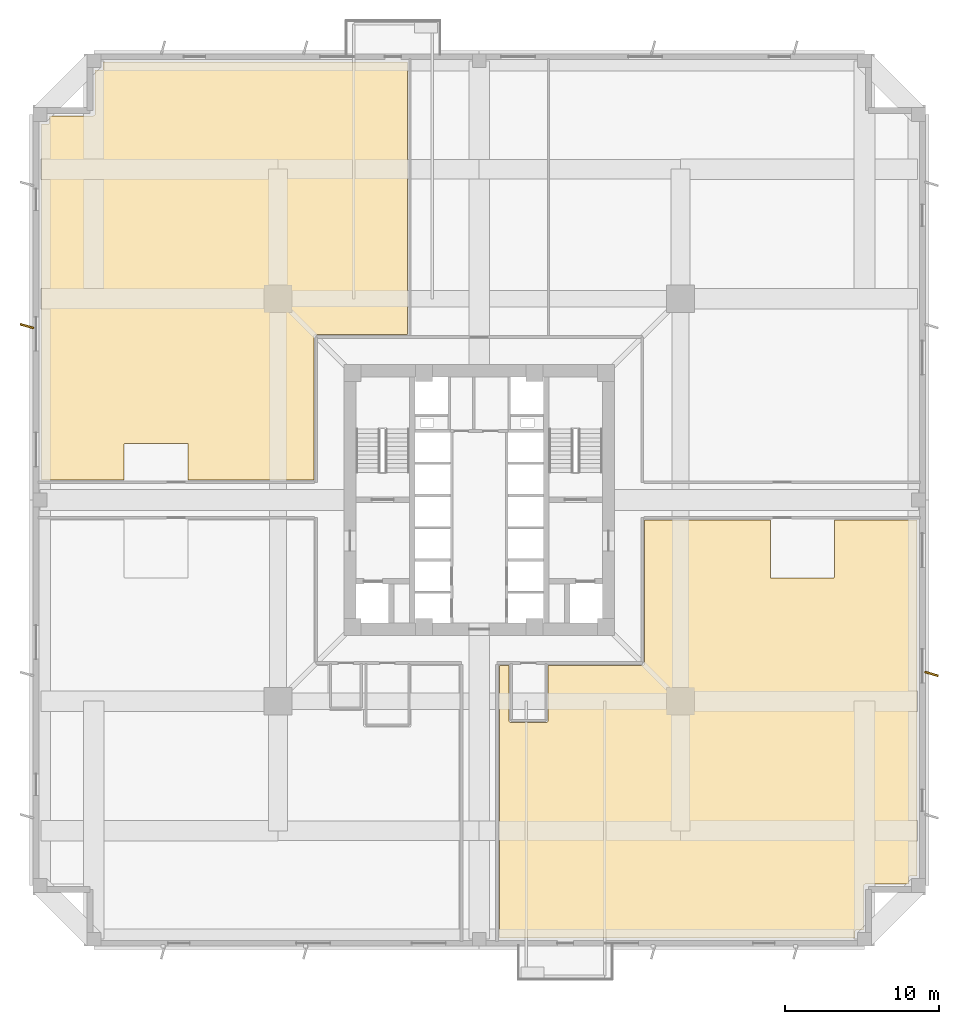
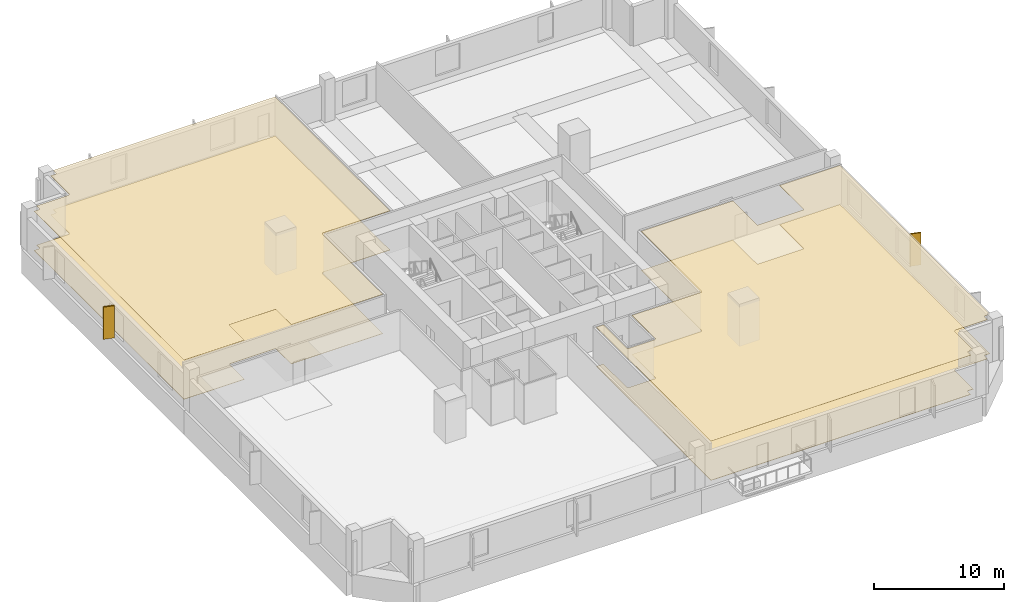
# One storey, part 7 of 9: 6 coverings.
"""IFC4 building model written with IfcOpenShell, lengths in metres."""

from ifc_helpers import new_model, si_unit, direction, frame, origin, origin_2d, place, context, subcontext, project, spatial, polyline, rectangle, outline, extrude, source, transform, mapped, material, layer, layer_set, type_object, element, save


model = new_model("IFC4")

# Units and contexts
model_context = context("Model", 3, precision=1e-05, world=origin(), true_north=direction((0.0, 1.0)))
body_context = subcontext(model_context, "Body", "Model", "MODEL_VIEW")
ifc_project = project(units=[si_unit("LENGTHUNIT", "METRE"), si_unit("AREAUNIT", "SQUARE_METRE"), si_unit("VOLUMEUNIT", "CUBIC_METRE"), si_unit("PLANEANGLEUNIT", "RADIAN"), si_unit("MASSUNIT", "GRAM", prefix="KILO"), si_unit("THERMODYNAMICTEMPERATUREUNIT", "KELVIN")], contexts=[model_context])

# Site, building, storey
site_placement = place(None, origin())
site = spatial("IfcSite", under=ifc_project, at=site_placement, CompositionType="ELEMENT")
building_placement = place(site_placement, origin())
building = spatial("IfcBuilding", under=site, at=building_placement, Name="Kosmvard Interchange Tower", CompositionType="ELEMENT")
storey_placement = place(building_placement, frame((0.0, 0.0, 26.0)))
storey = spatial("IfcBuildingStorey", under=building, at=storey_placement, Name="L05", CompositionType="ELEMENT", Elevation=26.0)

# Coverings
ifc_material_1 = material(Name="Acoustic gypsum ceiling tile")
ifc_layer_1 = layer(ifc_material_1, 0.02490234375, Name="Acoustic gypsum ceiling tile")
ifc_layer_set_1 = layer_set([ifc_layer_1], Name="Acoustic gypsum ceiling tile")
covering_type_1 = type_object("IfcCoveringType", Name="Acoustic Perforated Suspended Ceiling 25", PredefinedType="CEILING", material=ifc_layer_set_1)
covering_1_placement = place(storey_placement, frame((0.0, 0.0, 3.695068359375)))
element("IfcCovering", 1, at=covering_1_placement, inside=storey, type_object=covering_type_1, Name="L05 Acoustic Ceiling L05-OPSE", PredefinedType="CEILING", context=body_context, shape_type="SweptSolid", body=[
    extrude(outline(polyline([(10.65576171875, -10.74462890625), (10.648681640625, -10.7470703125), (10.64111328125, -10.749267578125), (10.634033203125, -10.751220703125), (10.62646484375, -10.752685546875), (10.619140625, -10.753662109375), (10.611328125, -10.754638671875), (10.60400390625, -10.7548828125), (10.60009765625, -10.7548828125), (4.47802734375, -10.7548828125), (4.47802734375, -14.320068359375), (4.477783203125, -14.323974609375), (4.4775390625, -14.33056640625), (4.476806640625, -14.33837890625), (4.475830078125, -14.344970703125), (4.474365234375, -14.352783203125), (4.47265625, -14.359130859375), (4.470458984375, -14.36669921875), (4.468017578125, -14.373046875), (4.465087890625, -14.380126953125), (4.46240234375, -14.38623046875), (4.45849609375, -14.39306640625), (4.455078125, -14.39892578125), (4.45068359375, -14.405517578125), (4.44677734375, -14.410888671875), (4.44189453125, -14.4169921875), (4.437255859375, -14.421875), (4.431884765625, -14.42724609375), (4.427001953125, -14.431884765625), (4.4208984375, -14.436767578125), (4.41552734375, -14.440673828125), (4.408935546875, -14.445068359375), (4.403076171875, -14.44873046875), (4.396240234375, -14.452392578125), (4.39013671875, -14.455078125), (4.383056640625, -14.458251953125), (4.376708984375, -14.46044921875), (4.369140625, -14.462646484375), (4.36279296875, -14.46435546875), (4.35498046875, -14.4658203125), (4.348388671875, -14.466796875), (4.340576171875, -14.467529296875), (4.333984375, -14.468017578125), (4.330078125, -14.468017578125), (2.080078125, -14.468017578125), (2.076171875, -14.468017578125), (2.0693359375, -14.467529296875), (2.0615234375, -14.466796875), (2.054931640625, -14.4658203125), (2.04736328125, -14.46435546875), (2.040771484375, -14.462646484375), (2.033203125, -14.46044921875), (2.027099609375, -14.458251953125), (2.019775390625, -14.455078125), (2.013671875, -14.452392578125), (2.0068359375, -14.44873046875), (2.001220703125, -14.445068359375), (1.99462890625, -14.440673828125), (1.9892578125, -14.436767578125), (1.983154296875, -14.431884765625), (1.978271484375, -14.42724609375), (1.97265625, -14.421875), (1.96826171875, -14.4169921875), (1.963134765625, -14.410888671875), (1.959228515625, -14.405517578125), (1.954833984375, -14.39892578125), (1.951416015625, -14.39306640625), (1.94775390625, -14.38623046875), (1.94482421875, -14.380126953125), (1.94189453125, -14.373046875), (1.939697265625, -14.36669921875), (1.937255859375, -14.359130859375), (1.935791015625, -14.352783203125), (1.93408203125, -14.344970703125), (1.93310546875, -14.33837890625), (1.932373046875, -14.33056640625), (1.93212890625, -14.323974609375), (1.931884765625, -14.320068359375), (1.931884765625, -10.7548828125), (1.304931640625, -10.7548828125), (1.304931640625, -28.465087890625), (24.43994140625, -28.465087890625), (24.43994140625, -28.02001953125), (24.4404296875, -28.01220703125), (24.441650390625, -28.00439453125), (24.443359375, -27.996826171875), (24.446044921875, -27.989501953125), (24.449462890625, -27.982177734375), (24.453369140625, -27.9755859375), (24.458251953125, -27.96923828125), (24.46337890625, -27.96337890625), (24.46923828125, -27.958251953125), (24.4755859375, -27.953369140625), (24.482177734375, -27.949462890625), (24.489501953125, -27.946044921875), (24.496826171875, -27.943359375), (24.50439453125, -27.941650390625), (24.51220703125, -27.9404296875), (24.52001953125, -27.93994140625), (24.965087890625, -27.93994140625), (24.965087890625, -25.1201171875), (24.965087890625, -25.1162109375), (24.965576171875, -25.108642578125), (24.96630859375, -25.100830078125), (24.96728515625, -25.09375), (24.96875, -25.0859375), (24.970703125, -25.078857421875), (24.972900390625, -25.0712890625), (24.975341796875, -25.064453125), (24.978515625, -25.05712890625), (24.9814453125, -25.05029296875), (24.985107421875, -25.043701171875), (24.989013671875, -25.037353515625), (24.993408203125, -25.03076171875), (24.997802734375, -25.02490234375), (25.002685546875, -25.0185546875), (25.0078125, -25.01318359375), (25.01318359375, -25.0078125), (25.0185546875, -25.002685546875), (25.02490234375, -24.997802734375), (25.03076171875, -24.993408203125), (25.037353515625, -24.989013671875), (25.043701171875, -24.985107421875), (25.05029296875, -24.9814453125), (25.05712890625, -24.978515625), (25.064453125, -24.975341796875), (25.0712890625, -24.972900390625), (25.078857421875, -24.970703125), (25.0859375, -24.96875), (25.09375, -24.96728515625), (25.100830078125, -24.96630859375), (25.108642578125, -24.965576171875), (25.1162109375, -24.965087890625), (25.1201171875, -24.965087890625), (27.93994140625, -24.965087890625), (27.93994140625, -24.52001953125), (27.9404296875, -24.51220703125), (27.941650390625, -24.50439453125), (27.943359375, -24.496826171875), (27.946044921875, -24.489501953125), (27.949462890625, -24.482177734375), (27.953369140625, -24.4755859375), (27.958251953125, -24.46923828125), (27.96337890625, -24.46337890625), (27.96923828125, -24.458251953125), (27.9755859375, -24.453369140625), (27.982177734375, -24.449462890625), (27.989501953125, -24.446044921875), (27.996826171875, -24.443359375), (28.00439453125, -24.441650390625), (28.01220703125, -24.4404296875), (28.02001953125, -24.43994140625), (28.465087890625, -24.43994140625), (28.465087890625, -1.304931640625), (23.080078125, -1.304931640625), (23.080078125, -5.0), (23.07958984375, -5.0078125), (23.078369140625, -5.015625), (23.07666015625, -5.023193359375), (23.073974609375, -5.030517578125), (23.070556640625, -5.03759765625), (23.06640625, -5.04443359375), (23.061767578125, -5.05078125), (23.056640625, -5.056640625), (23.05078125, -5.061767578125), (23.04443359375, -5.06640625), (23.03759765625, -5.070556640625), (23.030517578125, -5.073974609375), (23.023193359375, -5.07666015625), (23.015625, -5.078369140625), (23.0078125, -5.07958984375), (23.0, -5.080078125), (19.0, -5.080078125), (18.9921875, -5.07958984375), (18.984375, -5.078369140625), (18.976806640625, -5.07666015625), (18.969482421875, -5.073974609375), (18.96240234375, -5.070556640625), (18.95556640625, -5.06640625), (18.94921875, -5.061767578125), (18.943359375, -5.056640625), (18.938232421875, -5.05078125), (18.93359375, -5.04443359375), (18.929443359375, -5.03759765625), (18.926025390625, -5.030517578125), (18.92333984375, -5.023193359375), (18.921630859375, -5.015625), (18.92041015625, -5.0078125), (18.919921875, -5.0), (18.919921875, -1.304931640625), (10.7548828125, -1.304931640625), (10.7548828125, -10.60009765625), (10.7548828125, -10.60400390625), (10.754638671875, -10.611328125), (10.753662109375, -10.619140625), (10.752685546875, -10.62646484375), (10.751220703125, -10.634033203125), (10.749267578125, -10.64111328125), (10.7470703125, -10.648681640625), (10.74462890625, -10.65576171875), (10.74169921875, -10.662841796875), (10.738525390625, -10.669677734375), (10.73486328125, -10.676513671875), (10.73095703125, -10.6826171875), (10.7265625, -10.689208984375), (10.72216796875, -10.6953125), (10.71728515625, -10.701416015625), (10.712158203125, -10.706787109375), (10.706787109375, -10.712158203125), (10.701416015625, -10.71728515625), (10.6953125, -10.72216796875), (10.689208984375, -10.7265625), (10.6826171875, -10.73095703125), (10.676513671875, -10.73486328125), (10.669677734375, -10.738525390625), (10.662841796875, -10.74169921875), (10.65576171875, -10.74462890625)])), origin(), (0.0, 0.0, 1.0), 0.02490234375),
])
covering_2_placement = place(storey_placement, frame((0.0, 0.0, 3.695068359375)))
element("IfcCovering", 2, at=covering_2_placement, inside=storey, type_object=covering_type_1, Name="L05 Acoustic Ceiling L05-OPNW", PredefinedType="CEILING", context=body_context, shape_type="SweptSolid", body=[
    extrude(outline(polyline([(-24.43994140625, 28.465087890625), (-24.43994140625, 28.02001953125), (-24.4404296875, 28.01220703125), (-24.441650390625, 28.00439453125), (-24.443359375, 27.996826171875), (-24.446044921875, 27.989501953125), (-24.449462890625, 27.982177734375), (-24.453369140625, 27.9755859375), (-24.458251953125, 27.96923828125), (-24.46337890625, 27.96337890625), (-24.46923828125, 27.958251953125), (-24.4755859375, 27.953369140625), (-24.482177734375, 27.949462890625), (-24.489501953125, 27.946044921875), (-24.496826171875, 27.943359375), (-24.50439453125, 27.941650390625), (-24.51220703125, 27.9404296875), (-24.52001953125, 27.93994140625), (-24.965087890625, 27.93994140625), (-24.965087890625, 25.1201171875), (-24.965087890625, 25.1162109375), (-24.965576171875, 25.108642578125), (-24.96630859375, 25.100830078125), (-24.96728515625, 25.09375), (-24.96875, 25.0859375), (-24.970703125, 25.078857421875), (-24.972900390625, 25.0712890625), (-24.975341796875, 25.064453125), (-24.978515625, 25.05712890625), (-24.9814453125, 25.05029296875), (-24.985107421875, 25.043701171875), (-24.989013671875, 25.037353515625), (-24.993408203125, 25.03076171875), (-24.997802734375, 25.02490234375), (-25.002685546875, 25.0185546875), (-25.0078125, 25.01318359375), (-25.01318359375, 25.0078125), (-25.0185546875, 25.002685546875), (-25.02490234375, 24.997802734375), (-25.03076171875, 24.993408203125), (-25.037353515625, 24.989013671875), (-25.043701171875, 24.985107421875), (-25.05029296875, 24.9814453125), (-25.05712890625, 24.978515625), (-25.064453125, 24.975341796875), (-25.0712890625, 24.972900390625), (-25.078857421875, 24.970703125), (-25.0859375, 24.96875), (-25.09375, 24.96728515625), (-25.100830078125, 24.96630859375), (-25.108642578125, 24.965576171875), (-25.1162109375, 24.965087890625), (-25.1201171875, 24.965087890625), (-27.93994140625, 24.965087890625), (-27.93994140625, 24.52001953125), (-27.9404296875, 24.51220703125), (-27.941650390625, 24.50439453125), (-27.943359375, 24.496826171875), (-27.946044921875, 24.489501953125), (-27.949462890625, 24.482177734375), (-27.953369140625, 24.4755859375), (-27.958251953125, 24.46923828125), (-27.96337890625, 24.46337890625), (-27.96923828125, 24.458251953125), (-27.9755859375, 24.453369140625), (-27.982177734375, 24.449462890625), (-27.989501953125, 24.446044921875), (-27.996826171875, 24.443359375), (-28.00439453125, 24.441650390625), (-28.01220703125, 24.4404296875), (-28.02001953125, 24.43994140625), (-28.465087890625, 24.43994140625), (-28.465087890625, 1.304931640625), (-23.080078125, 1.304931640625), (-23.080078125, 3.60009765625), (-23.07958984375, 3.60791015625), (-23.078369140625, 3.61572265625), (-23.07666015625, 3.623291015625), (-23.073974609375, 3.630615234375), (-23.070556640625, 3.6376953125), (-23.06640625, 3.64453125), (-23.061767578125, 3.650634765625), (-23.056640625, 3.656494140625), (-23.05078125, 3.661865234375), (-23.04443359375, 3.66650390625), (-23.03759765625, 3.670654296875), (-23.030517578125, 3.673828125), (-23.023193359375, 3.676513671875), (-23.015625, 3.678466796875), (-23.0078125, 3.6796875), (-23.0, 3.679931640625), (-19.0, 3.679931640625), (-18.9921875, 3.6796875), (-18.984375, 3.678466796875), (-18.976806640625, 3.676513671875), (-18.969482421875, 3.673828125), (-18.96240234375, 3.670654296875), (-18.95556640625, 3.66650390625), (-18.94921875, 3.661865234375), (-18.943359375, 3.656494140625), (-18.938232421875, 3.650634765625), (-18.93359375, 3.64453125), (-18.929443359375, 3.6376953125), (-18.926025390625, 3.630615234375), (-18.92333984375, 3.623291015625), (-18.921630859375, 3.61572265625), (-18.92041015625, 3.60791015625), (-18.919921875, 3.60009765625), (-18.919921875, 1.304931640625), (-10.7548828125, 1.304931640625), (-10.7548828125, 10.60009765625), (-10.7548828125, 10.60400390625), (-10.754638671875, 10.611328125), (-10.753662109375, 10.619140625), (-10.752685546875, 10.62646484375), (-10.751220703125, 10.634033203125), (-10.749267578125, 10.64111328125), (-10.7470703125, 10.648681640625), (-10.74462890625, 10.65576171875), (-10.74169921875, 10.662841796875), (-10.738525390625, 10.669677734375), (-10.73486328125, 10.676513671875), (-10.73095703125, 10.6826171875), (-10.7265625, 10.689208984375), (-10.72216796875, 10.6953125), (-10.71728515625, 10.701416015625), (-10.712158203125, 10.706787109375), (-10.706787109375, 10.712158203125), (-10.701416015625, 10.71728515625), (-10.6953125, 10.72216796875), (-10.689208984375, 10.7265625), (-10.6826171875, 10.73095703125), (-10.676513671875, 10.73486328125), (-10.669677734375, 10.738525390625), (-10.662841796875, 10.74169921875), (-10.65576171875, 10.74462890625), (-10.648681640625, 10.7470703125), (-10.64111328125, 10.749267578125), (-10.634033203125, 10.751220703125), (-10.62646484375, 10.752685546875), (-10.619140625, 10.753662109375), (-10.611328125, 10.754638671875), (-10.60400390625, 10.7548828125), (-10.60009765625, 10.7548828125), (-4.659912109375, 10.7548828125), (-4.659912109375, 28.465087890625), (-24.43994140625, 28.465087890625)])), origin(), (0.0, 0.0, 1.0), 0.02490234375),
])
ifc_material_2 = material(Name="Polished terrazzo flooring")
ifc_layer_2 = layer(ifc_material_2, 0.030029296875, Name="Polished terrazzo flooring")
ifc_layer_set_2 = layer_set([ifc_layer_2], Name="Polished terrazzo flooring")
covering_type_2 = type_object("IfcCoveringType", Name="Heavy-Duty Terrazzo & Porcelain Flooring 30", PredefinedType="FLOORING", material=ifc_layer_set_2)
covering_3_placement = place(storey_placement, origin())
element("IfcCovering", 3, at=covering_3_placement, inside=storey, type_object=covering_type_2, Name="L05 Floor Finish L05-OPSE", PredefinedType="FLOORING", context=body_context, shape_type="SweptSolid", body=[
    extrude(outline(polyline([(10.65576171875, -10.74462890625), (10.648681640625, -10.7470703125), (10.64111328125, -10.749267578125), (10.634033203125, -10.751220703125), (10.62646484375, -10.752685546875), (10.619140625, -10.753662109375), (10.611328125, -10.754638671875), (10.60400390625, -10.7548828125), (10.60009765625, -10.7548828125), (4.47802734375, -10.7548828125), (4.47802734375, -14.320068359375), (4.477783203125, -14.323974609375), (4.4775390625, -14.33056640625), (4.476806640625, -14.33837890625), (4.475830078125, -14.344970703125), (4.474365234375, -14.352783203125), (4.47265625, -14.359130859375), (4.470458984375, -14.36669921875), (4.468017578125, -14.373046875), (4.465087890625, -14.380126953125), (4.46240234375, -14.38623046875), (4.45849609375, -14.39306640625), (4.455078125, -14.39892578125), (4.45068359375, -14.405517578125), (4.44677734375, -14.410888671875), (4.44189453125, -14.4169921875), (4.437255859375, -14.421875), (4.431884765625, -14.42724609375), (4.427001953125, -14.431884765625), (4.4208984375, -14.436767578125), (4.41552734375, -14.440673828125), (4.408935546875, -14.445068359375), (4.403076171875, -14.44873046875), (4.396240234375, -14.452392578125), (4.39013671875, -14.455078125), (4.383056640625, -14.458251953125), (4.376708984375, -14.46044921875), (4.369140625, -14.462646484375), (4.36279296875, -14.46435546875), (4.35498046875, -14.4658203125), (4.348388671875, -14.466796875), (4.340576171875, -14.467529296875), (4.333984375, -14.468017578125), (4.330078125, -14.468017578125), (2.080078125, -14.468017578125), (2.076171875, -14.468017578125), (2.0693359375, -14.467529296875), (2.0615234375, -14.466796875), (2.054931640625, -14.4658203125), (2.04736328125, -14.46435546875), (2.040771484375, -14.462646484375), (2.033203125, -14.46044921875), (2.027099609375, -14.458251953125), (2.019775390625, -14.455078125), (2.013671875, -14.452392578125), (2.0068359375, -14.44873046875), (2.001220703125, -14.445068359375), (1.99462890625, -14.440673828125), (1.9892578125, -14.436767578125), (1.983154296875, -14.431884765625), (1.978271484375, -14.42724609375), (1.97265625, -14.421875), (1.96826171875, -14.4169921875), (1.963134765625, -14.410888671875), (1.959228515625, -14.405517578125), (1.954833984375, -14.39892578125), (1.951416015625, -14.39306640625), (1.94775390625, -14.38623046875), (1.94482421875, -14.380126953125), (1.94189453125, -14.373046875), (1.939697265625, -14.36669921875), (1.937255859375, -14.359130859375), (1.935791015625, -14.352783203125), (1.93408203125, -14.344970703125), (1.93310546875, -14.33837890625), (1.932373046875, -14.33056640625), (1.93212890625, -14.323974609375), (1.931884765625, -14.320068359375), (1.931884765625, -10.7548828125), (1.304931640625, -10.7548828125), (1.304931640625, -28.465087890625), (24.43994140625, -28.465087890625), (24.43994140625, -28.02001953125), (24.4404296875, -28.01220703125), (24.441650390625, -28.00439453125), (24.443359375, -27.996826171875), (24.446044921875, -27.989501953125), (24.449462890625, -27.982177734375), (24.453369140625, -27.9755859375), (24.458251953125, -27.96923828125), (24.46337890625, -27.96337890625), (24.46923828125, -27.958251953125), (24.4755859375, -27.953369140625), (24.482177734375, -27.949462890625), (24.489501953125, -27.946044921875), (24.496826171875, -27.943359375), (24.50439453125, -27.941650390625), (24.51220703125, -27.9404296875), (24.52001953125, -27.93994140625), (24.965087890625, -27.93994140625), (24.965087890625, -25.1201171875), (24.965087890625, -25.1162109375), (24.965576171875, -25.108642578125), (24.96630859375, -25.100830078125), (24.96728515625, -25.09375), (24.96875, -25.0859375), (24.970703125, -25.078857421875), (24.972900390625, -25.0712890625), (24.975341796875, -25.064453125), (24.978515625, -25.05712890625), (24.9814453125, -25.05029296875), (24.985107421875, -25.043701171875), (24.989013671875, -25.037353515625), (24.993408203125, -25.03076171875), (24.997802734375, -25.02490234375), (25.002685546875, -25.0185546875), (25.0078125, -25.01318359375), (25.01318359375, -25.0078125), (25.0185546875, -25.002685546875), (25.02490234375, -24.997802734375), (25.03076171875, -24.993408203125), (25.037353515625, -24.989013671875), (25.043701171875, -24.985107421875), (25.05029296875, -24.9814453125), (25.05712890625, -24.978515625), (25.064453125, -24.975341796875), (25.0712890625, -24.972900390625), (25.078857421875, -24.970703125), (25.0859375, -24.96875), (25.09375, -24.96728515625), (25.100830078125, -24.96630859375), (25.108642578125, -24.965576171875), (25.1162109375, -24.965087890625), (25.1201171875, -24.965087890625), (27.93994140625, -24.965087890625), (27.93994140625, -24.52001953125), (27.9404296875, -24.51220703125), (27.941650390625, -24.50439453125), (27.943359375, -24.496826171875), (27.946044921875, -24.489501953125), (27.949462890625, -24.482177734375), (27.953369140625, -24.4755859375), (27.958251953125, -24.46923828125), (27.96337890625, -24.46337890625), (27.96923828125, -24.458251953125), (27.9755859375, -24.453369140625), (27.982177734375, -24.449462890625), (27.989501953125, -24.446044921875), (27.996826171875, -24.443359375), (28.00439453125, -24.441650390625), (28.01220703125, -24.4404296875), (28.02001953125, -24.43994140625), (28.465087890625, -24.43994140625), (28.465087890625, -1.304931640625), (23.080078125, -1.304931640625), (23.080078125, -5.0), (23.07958984375, -5.0078125), (23.078369140625, -5.015625), (23.07666015625, -5.023193359375), (23.073974609375, -5.030517578125), (23.070556640625, -5.03759765625), (23.06640625, -5.04443359375), (23.061767578125, -5.05078125), (23.056640625, -5.056640625), (23.05078125, -5.061767578125), (23.04443359375, -5.06640625), (23.03759765625, -5.070556640625), (23.030517578125, -5.073974609375), (23.023193359375, -5.07666015625), (23.015625, -5.078369140625), (23.0078125, -5.07958984375), (23.0, -5.080078125), (19.0, -5.080078125), (18.9921875, -5.07958984375), (18.984375, -5.078369140625), (18.976806640625, -5.07666015625), (18.969482421875, -5.073974609375), (18.96240234375, -5.070556640625), (18.95556640625, -5.06640625), (18.94921875, -5.061767578125), (18.943359375, -5.056640625), (18.938232421875, -5.05078125), (18.93359375, -5.04443359375), (18.929443359375, -5.03759765625), (18.926025390625, -5.030517578125), (18.92333984375, -5.023193359375), (18.921630859375, -5.015625), (18.92041015625, -5.0078125), (18.919921875, -5.0), (18.919921875, -1.304931640625), (10.7548828125, -1.304931640625), (10.7548828125, -10.60009765625), (10.7548828125, -10.60400390625), (10.754638671875, -10.611328125), (10.753662109375, -10.619140625), (10.752685546875, -10.62646484375), (10.751220703125, -10.634033203125), (10.749267578125, -10.64111328125), (10.7470703125, -10.648681640625), (10.74462890625, -10.65576171875), (10.74169921875, -10.662841796875), (10.738525390625, -10.669677734375), (10.73486328125, -10.676513671875), (10.73095703125, -10.6826171875), (10.7265625, -10.689208984375), (10.72216796875, -10.6953125), (10.71728515625, -10.701416015625), (10.712158203125, -10.706787109375), (10.706787109375, -10.712158203125), (10.701416015625, -10.71728515625), (10.6953125, -10.72216796875), (10.689208984375, -10.7265625), (10.6826171875, -10.73095703125), (10.676513671875, -10.73486328125), (10.669677734375, -10.738525390625), (10.662841796875, -10.74169921875), (10.65576171875, -10.74462890625)])), origin(), (0.0, 0.0, 1.0), 0.030029296875),
])
covering_4_placement = place(storey_placement, origin())
element("IfcCovering", 4, at=covering_4_placement, inside=storey, type_object=covering_type_2, Name="L05 Floor Finish L05-OPNW", PredefinedType="FLOORING", context=body_context, shape_type="SweptSolid", body=[
    extrude(outline(polyline([(-24.43994140625, 28.465087890625), (-24.43994140625, 28.02001953125), (-24.4404296875, 28.01220703125), (-24.441650390625, 28.00439453125), (-24.443359375, 27.996826171875), (-24.446044921875, 27.989501953125), (-24.449462890625, 27.982177734375), (-24.453369140625, 27.9755859375), (-24.458251953125, 27.96923828125), (-24.46337890625, 27.96337890625), (-24.46923828125, 27.958251953125), (-24.4755859375, 27.953369140625), (-24.482177734375, 27.949462890625), (-24.489501953125, 27.946044921875), (-24.496826171875, 27.943359375), (-24.50439453125, 27.941650390625), (-24.51220703125, 27.9404296875), (-24.52001953125, 27.93994140625), (-24.965087890625, 27.93994140625), (-24.965087890625, 25.1201171875), (-24.965087890625, 25.1162109375), (-24.965576171875, 25.108642578125), (-24.96630859375, 25.100830078125), (-24.96728515625, 25.09375), (-24.96875, 25.0859375), (-24.970703125, 25.078857421875), (-24.972900390625, 25.0712890625), (-24.975341796875, 25.064453125), (-24.978515625, 25.05712890625), (-24.9814453125, 25.05029296875), (-24.985107421875, 25.043701171875), (-24.989013671875, 25.037353515625), (-24.993408203125, 25.03076171875), (-24.997802734375, 25.02490234375), (-25.002685546875, 25.0185546875), (-25.0078125, 25.01318359375), (-25.01318359375, 25.0078125), (-25.0185546875, 25.002685546875), (-25.02490234375, 24.997802734375), (-25.03076171875, 24.993408203125), (-25.037353515625, 24.989013671875), (-25.043701171875, 24.985107421875), (-25.05029296875, 24.9814453125), (-25.05712890625, 24.978515625), (-25.064453125, 24.975341796875), (-25.0712890625, 24.972900390625), (-25.078857421875, 24.970703125), (-25.0859375, 24.96875), (-25.09375, 24.96728515625), (-25.100830078125, 24.96630859375), (-25.108642578125, 24.965576171875), (-25.1162109375, 24.965087890625), (-25.1201171875, 24.965087890625), (-27.93994140625, 24.965087890625), (-27.93994140625, 24.52001953125), (-27.9404296875, 24.51220703125), (-27.941650390625, 24.50439453125), (-27.943359375, 24.496826171875), (-27.946044921875, 24.489501953125), (-27.949462890625, 24.482177734375), (-27.953369140625, 24.4755859375), (-27.958251953125, 24.46923828125), (-27.96337890625, 24.46337890625), (-27.96923828125, 24.458251953125), (-27.9755859375, 24.453369140625), (-27.982177734375, 24.449462890625), (-27.989501953125, 24.446044921875), (-27.996826171875, 24.443359375), (-28.00439453125, 24.441650390625), (-28.01220703125, 24.4404296875), (-28.02001953125, 24.43994140625), (-28.465087890625, 24.43994140625), (-28.465087890625, 1.304931640625), (-23.080078125, 1.304931640625), (-23.080078125, 3.60009765625), (-23.07958984375, 3.60791015625), (-23.078369140625, 3.61572265625), (-23.07666015625, 3.623291015625), (-23.073974609375, 3.630615234375), (-23.070556640625, 3.6376953125), (-23.06640625, 3.64453125), (-23.061767578125, 3.650634765625), (-23.056640625, 3.656494140625), (-23.05078125, 3.661865234375), (-23.04443359375, 3.66650390625), (-23.03759765625, 3.670654296875), (-23.030517578125, 3.673828125), (-23.023193359375, 3.676513671875), (-23.015625, 3.678466796875), (-23.0078125, 3.6796875), (-23.0, 3.679931640625), (-19.0, 3.679931640625), (-18.9921875, 3.6796875), (-18.984375, 3.678466796875), (-18.976806640625, 3.676513671875), (-18.969482421875, 3.673828125), (-18.96240234375, 3.670654296875), (-18.95556640625, 3.66650390625), (-18.94921875, 3.661865234375), (-18.943359375, 3.656494140625), (-18.938232421875, 3.650634765625), (-18.93359375, 3.64453125), (-18.929443359375, 3.6376953125), (-18.926025390625, 3.630615234375), (-18.92333984375, 3.623291015625), (-18.921630859375, 3.61572265625), (-18.92041015625, 3.60791015625), (-18.919921875, 3.60009765625), (-18.919921875, 1.304931640625), (-10.7548828125, 1.304931640625), (-10.7548828125, 10.60009765625), (-10.7548828125, 10.60400390625), (-10.754638671875, 10.611328125), (-10.753662109375, 10.619140625), (-10.752685546875, 10.62646484375), (-10.751220703125, 10.634033203125), (-10.749267578125, 10.64111328125), (-10.7470703125, 10.648681640625), (-10.74462890625, 10.65576171875), (-10.74169921875, 10.662841796875), (-10.738525390625, 10.669677734375), (-10.73486328125, 10.676513671875), (-10.73095703125, 10.6826171875), (-10.7265625, 10.689208984375), (-10.72216796875, 10.6953125), (-10.71728515625, 10.701416015625), (-10.712158203125, 10.706787109375), (-10.706787109375, 10.712158203125), (-10.701416015625, 10.71728515625), (-10.6953125, 10.72216796875), (-10.689208984375, 10.7265625), (-10.6826171875, 10.73095703125), (-10.676513671875, 10.73486328125), (-10.669677734375, 10.738525390625), (-10.662841796875, 10.74169921875), (-10.65576171875, 10.74462890625), (-10.648681640625, 10.7470703125), (-10.64111328125, 10.749267578125), (-10.634033203125, 10.751220703125), (-10.62646484375, 10.752685546875), (-10.619140625, 10.753662109375), (-10.611328125, 10.754638671875), (-10.60400390625, 10.7548828125), (-10.60009765625, 10.7548828125), (-4.659912109375, 10.7548828125), (-4.659912109375, 28.465087890625), (-24.43994140625, 28.465087890625)])), origin(), (0.0, 0.0, 1.0), 0.030029296875),
])
ifc_material_3 = material(Name="Architectural anodised aluminium", Category="aluminium")
ifc_layer_3 = layer(ifc_material_3, 0.1201171875, Name="Architectural anodised aluminium")
ifc_layer_set_3 = layer_set([ifc_layer_3], Name="Architectural anodised aluminium")
covering_type_3 = type_object("IfcCoveringType", Name="Rotating Vertical Sun-Breaker Fin 900x120 Aluminium", PredefinedType="CLADDING", material=ifc_layer_set_3)
shared_shape = source(origin(), body_context, "Body", "SweptSolid", [
    extrude(rectangle(XDim=0.89990234375, YDim=0.1201171875, at=origin_2d()), origin(), (0.0, 0.0, 1.0), 3.0400390625),
])
for number, where, z_axis, x_axis, name in (
    (5, (29.39990234375, -11.3037109375, 0.0400390625), (0.0, 0.0, 1.0), (0.961261695938, -0.275637355817, 0.0), "L05 Rotating Vertical Sun-Breaker Fin 06"),
    (6, (-29.39990234375, 11.3037109375, 0.0400390625), (0.0, 0.0, 1.0), (-0.961261695938, 0.275637355817, 0.0), "L05 Rotating Vertical Sun-Breaker Fin 14"),
):
    element("IfcCovering", number, at=place(storey_placement, frame(where, z_axis=z_axis, x_axis=x_axis)), inside=storey, type_object=covering_type_3, Name=name, PredefinedType="CLADDING", context=body_context, shape_type="MappedRepresentation", body=[
        mapped(shared_shape, transform((0.0, 0.0, 0.0), scale=1.0)),
    ])

save(model, "model.ifc")
